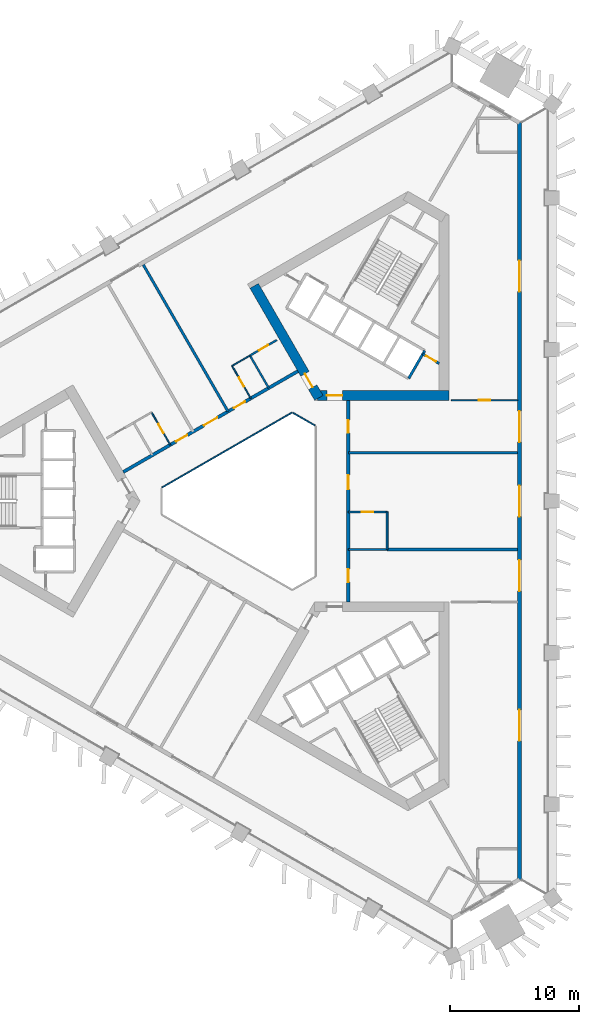
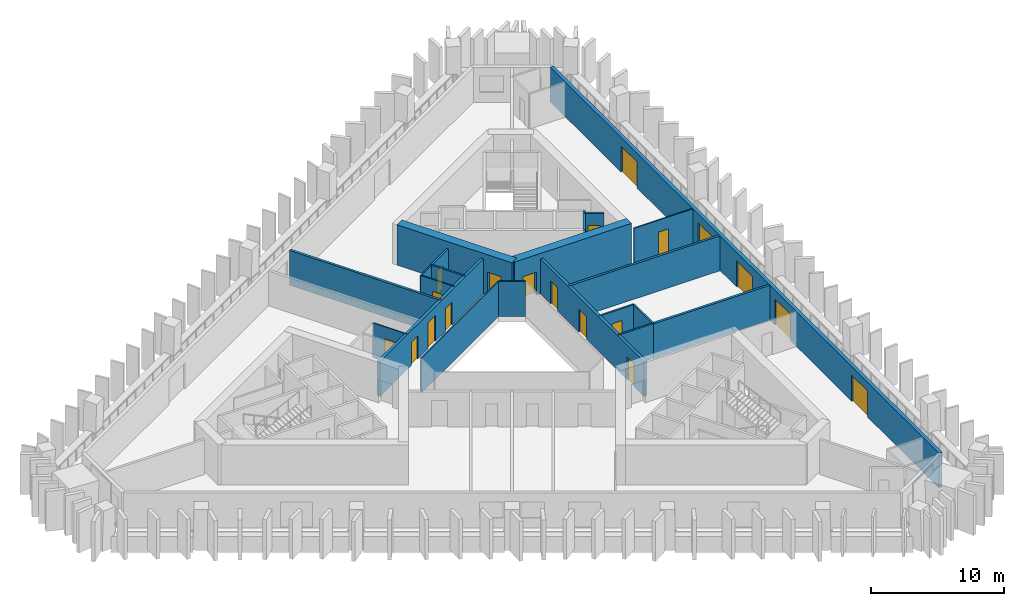
# One storey, part 5 of 10: 21 walls, 19 doors, 19 openings.
"""IFC4 building model written with IfcOpenShell, lengths in metres."""

from ifc_helpers import new_model, si_unit, direction, frame, frame_2d, origin, place, context, subcontext, project, spatial, rectangle, extrude, material, layer, layer_set, type_object, element, fill, save


model = new_model("IFC4")

# Units and contexts
model_context = context("Model", 3, precision=1e-05, world=origin(), true_north=direction((0.0, 1.0)))
body_context = subcontext(model_context, "Body", "Model", "MODEL_VIEW")
ifc_project = project(units=[si_unit("LENGTHUNIT", "METRE"), si_unit("AREAUNIT", "SQUARE_METRE"), si_unit("VOLUMEUNIT", "CUBIC_METRE"), si_unit("PLANEANGLEUNIT", "RADIAN"), si_unit("MASSUNIT", "GRAM", prefix="KILO")], contexts=[model_context])

# Site, building, storey
site_placement = place(None, origin())
site = spatial("IfcSite", under=ifc_project, at=site_placement, CompositionType="ELEMENT")
building_placement = place(site_placement, origin())
building = spatial("IfcBuilding", under=site, at=building_placement, Name="Jabali Bay Hotel Tower and Convention Centre", CompositionType="ELEMENT")
storey_placement = place(building_placement, frame((0.0, 0.0, 86.89990234375)))
storey = spatial("IfcBuildingStorey", under=building, at=storey_placement, Name="L20", CompositionType="ELEMENT", Elevation=86.89990234375)

# Walls
ifc_material_1 = material(Name="Fire-resistant glazing", Category="glass")
ifc_layer_1 = layer(ifc_material_1, 0.10009765625)
ifc_layer_set_1 = layer_set([ifc_layer_1], Name="Fire-resistant glazing")
wall_type_1 = type_object("IfcWallType", Name="Atrium glazed screen 100", PredefinedType="PARTITIONING", material=ifc_layer_set_1)
wall_1_placement = place(storey_placement, frame((79.530029296875, 85.84619140625, 0.0), z_axis=(0.0, 0.0, 1.0), x_axis=(-0.866041268327, 0.499972520799, 0.0)))
element("IfcWall", 1, at=wall_1_placement, inside=storey, type_object=wall_type_1, Name="Atrium screen 2 L20", PredefinedType="PARTITIONING", context=body_context, shape_type="SweptSolid", body=[
    extrude(rectangle(XDim=2.0, YDim=0.10009765625, at=frame_2d((1.0, 0.0))), origin(), (0.0, 0.0, 1.0), 3.2001953125),
])
wall_2_placement = place(storey_placement, frame((77.738037109375, 86.84619140625, 0.0), z_axis=(0.0, 0.0, 1.0), x_axis=(-0.866026658274, -0.499997827154, 0.0)))
element("IfcWall", 2, at=wall_2_placement, inside=storey, type_object=wall_type_1, Name="Atrium screen 3 L20", PredefinedType="PARTITIONING", context=body_context, shape_type="SweptSolid", body=[
    extrude(rectangle(XDim=11.58837890625, YDim=0.10009765625, at=frame_2d((5.794189453125, 0.0))), origin(), (0.0, 0.0, 1.0), 3.2001953125),
])

# Wall, opening, door
ifc_material_2 = material(Name="Concrete C40", Category="concrete")
ifc_layer_2 = layer(ifc_material_2, 0.199951171875)
ifc_layer_set_2 = layer_set([ifc_layer_2], Name="Concrete C40")
wall_type_2 = type_object("IfcWallType", Name="Core partition wall 200", PredefinedType="PARTITIONING", material=ifc_layer_set_2)
wall_3_placement = place(storey_placement, frame((89.130126953125, 90.640625, 0.0), z_axis=(0.0, 0.0, 1.0), x_axis=(-0.866094119867, 0.499880961361, 0.0)))
wall_3 = element("IfcWall", 3, at=wall_3_placement, inside=storey, type_object=wall_type_2, Name="Core wall 1.11 L20", PredefinedType="PARTITIONING", context=body_context, shape_type="SweptSolid", body=[
    extrude(rectangle(XDim=1.466552734375, YDim=0.199951171875, at=frame_2d((0.7333984375, 0.0))), origin(), (0.0, 0.0, 1.0), 3.2001953125),
])
opening_1_placement = place(wall_3_placement, frame((0.283447265625, 0.0, 0.0)))
opening_1 = element("IfcOpeningElement", 4, at=opening_1_placement, cuts=wall_3, Name="Opening D483", PredefinedType="OPENING", context=body_context, shape_type="SweptSolid", body=[
    extrude(rectangle(XDim=0.89990234375, YDim=2.10009765625, at=frame_2d((0.449951171875, 1.050048828125))), frame((0.0, 0.1103515625, 0.0), z_axis=(0.0, -1.0, 0.0), x_axis=(1.0, 0.0, 0.0)), (0.0, 0.0, 1.0), 0.220947265625),
])
ifc_material_3 = material(Name="Fire-rated steel door", Category="steel")
door_type_1 = type_object("IfcDoorType", Name="Vestibule fire door 900 x 2100", OperationType="NOTDEFINED", PredefinedType="NOTDEFINED", material=ifc_material_3)
door_1_placement = place(opening_1_placement, origin())
door_1 = element("IfcDoor", 5, at=door_1_placement, inside=storey, type_object=door_type_1, Name="Vestibule fire door D483", OperationType="SINGLE_SWING_LEFT", OverallHeight=2.10009765625, OverallWidth=0.89990234375, PredefinedType="NOTDEFINED", context=body_context, shape_type="SweptSolid", body=[
    extrude(rectangle(XDim=0.89990234375, YDim=2.10009765625, at=frame_2d((0.449951171875, 1.050048828125))), frame((0.0, 0.02490234375, 0.0), z_axis=(0.0, -1.0, 0.0), x_axis=(1.0, 0.0, 0.0)), (0.0, 0.0, 1.0), 0.050048828125),
])
fill(opening_1, door_1)

# Wall
ifc_layer_3 = layer(ifc_material_2, 0.199951171875)
ifc_layer_set_3 = layer_set([ifc_layer_3], Name="Concrete C40")
wall_type_3 = type_object("IfcWallType", Name="Core stair wall 200", PredefinedType="SOLIDWALL", material=ifc_layer_set_3)
wall_4_placement = place(storey_placement, frame((86.769775390625, 89.48583984375, 0.0), z_axis=(0.0, 0.0, 1.0), x_axis=(0.499961042966, 0.86604789447, 0.0)))
element("IfcWall", 6, at=wall_4_placement, inside=storey, type_object=wall_type_3, Name="Core wall 1.0 L20", PredefinedType="SOLIDWALL", context=body_context, shape_type="SweptSolid", body=[
    extrude(rectangle(XDim=2.480224609375, YDim=0.199951171875, at=frame_2d((1.240234375, 0.0))), origin(), (0.0, 0.0, 1.0), 3.2001953125),
])

# Wall, opening, door
ifc_material_4 = material(Name="Concrete C60", Category="concrete")
ifc_layer_4 = layer(ifc_material_4, 0.75)
ifc_layer_set_4 = layer_set([ifc_layer_4], Name="Concrete C60")
wall_type_4 = type_object("IfcWallType", Name="Core wall 750", PredefinedType="SHEAR", material=ifc_layer_set_4)
wall_5_placement = place(storey_placement, frame((79.716552734375, 88.169189453125, 0.0), z_axis=(0.0, 0.0, 1.0), x_axis=(1.0, 0.0, 0.0)))
wall_5 = element("IfcWall", 7, at=wall_5_placement, inside=storey, type_object=wall_type_4, Name="Core wall 2.1 L20", PredefinedType="SHEAR", context=body_context, shape_type="SweptSolid", body=[
    extrude(rectangle(XDim=10.163330078125, YDim=0.75, at=frame_2d((5.08154296875, 0.0))), origin(), (0.0, 0.0, 1.0), 3.7001953125),
])
opening_2_placement = place(wall_5_placement, frame((0.7333984375, 0.0, 0.0)))
opening_2 = element("IfcOpeningElement", 8, at=opening_2_placement, cuts=wall_5, Name="Opening D480", PredefinedType="OPENING", context=body_context, shape_type="SweptSolid", body=[
    extrude(rectangle(XDim=1.199951171875, YDim=2.10009765625, at=frame_2d((0.60009765625, 1.050048828125))), frame((0.0, 0.385498046875, 0.0), z_axis=(0.0, -1.0, 0.0), x_axis=(1.0, 0.0, 0.0)), (0.0, 0.0, 1.0), 0.77099609375),
])
door_type_2 = type_object("IfcDoorType", Name="Corridor end fire door 1200 x 2100", OperationType="NOTDEFINED", PredefinedType="NOTDEFINED", material=ifc_material_3)
door_2_placement = place(opening_2_placement, origin())
door_2 = element("IfcDoor", 9, at=door_2_placement, inside=storey, type_object=door_type_2, Name="Corridor end fire door D480", OperationType="SINGLE_SWING_RIGHT", OverallHeight=2.10009765625, OverallWidth=1.199951171875, PredefinedType="NOTDEFINED", context=body_context, shape_type="SweptSolid", body=[
    extrude(rectangle(XDim=1.199951171875, YDim=2.10009765625, at=frame_2d((0.60009765625, 1.050048828125))), frame((0.0, 0.02490234375, 0.0), z_axis=(0.0, -1.0, 0.0), x_axis=(1.0, 0.0, 0.0)), (0.0, 0.0, 1.0), 0.050048828125),
])
fill(opening_2, door_2)

wall_6_placement = place(storey_placement, frame((74.822265625, 96.646240234375, 0.0), z_axis=(0.0, 0.0, 1.0), x_axis=(0.499997052475, -0.866027105532, 0.0)))
wall_6 = element("IfcWall", 10, at=wall_6_placement, inside=storey, type_object=wall_type_4, Name="Core wall 2.5 L20", PredefinedType="SHEAR", context=body_context, shape_type="SweptSolid", body=[
    extrude(rectangle(XDim=10.0048828125, YDim=0.75, at=frame_2d((5.00244140625, 0.0))), origin(), (0.0, 0.0, 1.0), 3.7001953125),
])
opening_3_placement = place(wall_6_placement, frame((7.85498046875, 0.0, 0.0)))
opening_3 = element("IfcOpeningElement", 11, at=opening_3_placement, cuts=wall_6, Name="Opening D481", PredefinedType="OPENING", context=body_context, shape_type="SweptSolid", body=[
    extrude(rectangle(XDim=1.199951171875, YDim=2.10009765625, at=frame_2d((0.60009765625, 1.050048828125))), frame((0.0, 0.385498046875, 0.0), z_axis=(0.0, -1.0, 0.0), x_axis=(1.0, 0.0, 0.0)), (0.0, 0.0, 1.0), 0.77099609375),
])
door_3_placement = place(opening_3_placement, origin())
door_3 = element("IfcDoor", 12, at=door_3_placement, inside=storey, type_object=door_type_2, Name="Corridor end fire door D481", OperationType="SINGLE_SWING_LEFT", OverallHeight=2.10009765625, OverallWidth=1.199951171875, PredefinedType="NOTDEFINED", context=body_context, shape_type="SweptSolid", body=[
    extrude(rectangle(XDim=1.199951171875, YDim=2.10009765625, at=frame_2d((0.60009765625, 1.050048828125))), frame((0.0, 0.02490234375, 0.0), z_axis=(0.0, -1.0, 0.0), x_axis=(1.0, 0.0, 0.0)), (0.0, 0.0, 1.0), 0.050048828125),
])
fill(opening_3, door_3)

# Wall, openings, doors
ifc_layer_5 = layer(ifc_material_4, 0.25)
ifc_layer_set_5 = layer_set([ifc_layer_5], Name="Concrete C60")
wall_type_5 = type_object("IfcWallType", Name="Corridor wall 250", PredefinedType="SHEAR", material=ifc_layer_set_5)
wall_7_placement = place(storey_placement, frame((82.10009765625, 72.205810546875, 0.0), z_axis=(0.0, 0.0, 1.0), x_axis=(0.0, 1.0, 0.0)))
wall_7 = element("IfcWall", 13, at=wall_7_placement, inside=storey, type_object=wall_type_5, Name="Corridor wall 1 L20", PredefinedType="SHEAR", context=body_context, shape_type="SweptSolid", body=[
    extrude(rectangle(XDim=15.58837890625, YDim=0.25, at=frame_2d((7.794189453125, 0.0))), origin(), (0.0, 0.0, 1.0), 3.2001953125),
])
opening_4_placement = place(wall_7_placement, frame((1.526611328125, 0.0, 0.0)))
opening_4 = element("IfcOpeningElement", 14, at=opening_4_placement, cuts=wall_7, Name="Opening 2001", PredefinedType="OPENING", context=body_context, shape_type="SweptSolid", body=[
    extrude(rectangle(XDim=1.0, YDim=2.10009765625, at=frame_2d((0.5, 1.050048828125))), frame((0.0, 0.135498046875, 0.0), z_axis=(0.0, -1.0, 0.0), x_axis=(1.0, 0.0, 0.0)), (0.0, 0.0, 1.0), 0.27099609375),
])
opening_5_placement = place(wall_7_placement, frame((8.694091796875, 0.0, 0.0)))
opening_5 = element("IfcOpeningElement", 15, at=opening_5_placement, cuts=wall_7, Name="Opening 2005", PredefinedType="OPENING", context=body_context, shape_type="SweptSolid", body=[
    extrude(rectangle(XDim=1.10009765625, YDim=2.10009765625, at=frame_2d((0.550048828125, 1.050048828125))), frame((0.0, 0.135498046875, 0.0), z_axis=(0.0, -1.0, 0.0), x_axis=(1.0, 0.0, 0.0)), (0.0, 0.0, 1.0), 0.27099609375),
])
opening_6_placement = place(wall_7_placement, frame((13.06201171875, 0.0, 0.0)))
opening_6 = element("IfcOpeningElement", 16, at=opening_6_placement, cuts=wall_7, Name="Opening 2006", PredefinedType="OPENING", context=body_context, shape_type="SweptSolid", body=[
    extrude(rectangle(XDim=1.0, YDim=2.10009765625, at=frame_2d((0.5, 1.050048828125))), frame((0.0, 0.135498046875, 0.0), z_axis=(0.0, -1.0, 0.0), x_axis=(1.0, 0.0, 0.0)), (0.0, 0.0, 1.0), 0.27099609375),
])
ifc_material_5 = material(Name="Timber", Category="wood")
door_type_3 = type_object("IfcDoorType", Name="Accessible guest room door 1100 x 2100", OperationType="NOTDEFINED", PredefinedType="NOTDEFINED", material=ifc_material_5)
door_4_placement = place(opening_5_placement, origin())
door_4 = element("IfcDoor", 17, at=door_4_placement, inside=storey, type_object=door_type_3, Name="Door 2005", OperationType="SINGLE_SWING_RIGHT", OverallHeight=2.10009765625, OverallWidth=1.10009765625, PredefinedType="NOTDEFINED", context=body_context, shape_type="SweptSolid", body=[
    extrude(rectangle(XDim=1.10009765625, YDim=2.10009765625, at=frame_2d((0.550048828125, 1.050048828125))), frame((0.0, 0.02490234375, 0.0), z_axis=(0.0, -1.0, 0.0), x_axis=(1.0, 0.0, 0.0)), (0.0, 0.0, 1.0), 0.050048828125),
])
fill(opening_5, door_4)
door_type_4 = type_object("IfcDoorType", Name="Guest room door 1000 x 2100", OperationType="NOTDEFINED", PredefinedType="NOTDEFINED", material=ifc_material_5)
door_5_placement = place(opening_4_placement, origin())
door_5 = element("IfcDoor", 18, at=door_5_placement, inside=storey, type_object=door_type_4, Name="Door 2001", OperationType="SINGLE_SWING_LEFT", OverallHeight=2.10009765625, OverallWidth=1.0, PredefinedType="NOTDEFINED", context=body_context, shape_type="SweptSolid", body=[
    extrude(rectangle(XDim=1.0, YDim=2.10009765625, at=frame_2d((0.5, 1.050048828125))), frame((0.0, 0.02490234375, 0.0), z_axis=(0.0, -1.0, 0.0), x_axis=(1.0, 0.0, 0.0)), (0.0, 0.0, 1.0), 0.050048828125),
])
fill(opening_4, door_5)
door_6_placement = place(opening_6_placement, origin())
door_6 = element("IfcDoor", 19, at=door_6_placement, inside=storey, type_object=door_type_4, Name="Door 2006", OperationType="SINGLE_SWING_RIGHT", OverallHeight=2.10009765625, OverallWidth=1.0, PredefinedType="NOTDEFINED", context=body_context, shape_type="SweptSolid", body=[
    extrude(rectangle(XDim=1.0, YDim=2.10009765625, at=frame_2d((0.5, 1.050048828125))), frame((0.0, 0.02490234375, 0.0), z_axis=(0.0, -1.0, 0.0), x_axis=(1.0, 0.0, 0.0)), (0.0, 0.0, 1.0), 0.050048828125),
])
fill(opening_6, door_6)

wall_8_placement = place(storey_placement, frame((78.199951171875, 90.0458984375, 0.0), z_axis=(0.0, 0.0, 1.0), x_axis=(-0.866026492143, -0.499998114903, 0.0)))
wall_8 = element("IfcWall", 20, at=wall_8_placement, inside=storey, type_object=wall_type_5, Name="Corridor wall 2 L20", PredefinedType="SHEAR", context=body_context, shape_type="SweptSolid", body=[
    extrude(rectangle(XDim=15.58837890625, YDim=0.25, at=frame_2d((7.794189453125, 0.0))), origin(), (0.0, 0.0, 1.0), 3.2001953125),
])
opening_7_placement = place(wall_8_placement, frame((4.7177734375, 0.0, 0.0)))
opening_7 = element("IfcOpeningElement", 21, at=opening_7_placement, cuts=wall_8, Name="Opening 2011", PredefinedType="OPENING", context=body_context, shape_type="SweptSolid", body=[
    extrude(rectangle(XDim=1.0, YDim=2.10009765625, at=frame_2d((0.5, 1.050048828125))), frame((0.0, 0.135498046875, 0.0), z_axis=(0.0, -1.0, 0.0), x_axis=(1.0, 0.0, 0.0)), (0.0, 0.0, 1.0), 0.27099609375),
])
opening_8_placement = place(wall_8_placement, frame((7.194091796875, 0.0, 0.0)))
opening_8 = element("IfcOpeningElement", 22, at=opening_8_placement, cuts=wall_8, Name="Opening 2012", PredefinedType="OPENING", context=body_context, shape_type="SweptSolid", body=[
    extrude(rectangle(XDim=1.199951171875, YDim=2.39990234375, at=frame_2d((0.60009765625, 1.199951171875))), frame((0.0, 0.135498046875, 0.0), z_axis=(0.0, -1.0, 0.0), x_axis=(1.0, 0.0, 0.0)), (0.0, 0.0, 1.0), 0.27099609375),
])
opening_9_placement = place(wall_8_placement, frame((9.870849609375, 0.0, 0.0)))
opening_9 = element("IfcOpeningElement", 23, at=opening_9_placement, cuts=wall_8, Name="Opening 2015", PredefinedType="OPENING", context=body_context, shape_type="SweptSolid", body=[
    extrude(rectangle(XDim=1.0, YDim=2.10009765625, at=frame_2d((0.5, 1.050048828125))), frame((0.0, 0.135498046875, 0.0), z_axis=(0.0, -1.0, 0.0), x_axis=(1.0, 0.0, 0.0)), (0.0, 0.0, 1.0), 0.27099609375),
])
door_7_placement = place(opening_7_placement, origin())
door_7 = element("IfcDoor", 24, at=door_7_placement, inside=storey, type_object=door_type_4, Name="Door 2011", OperationType="SINGLE_SWING_LEFT", OverallHeight=2.10009765625, OverallWidth=1.0, PredefinedType="NOTDEFINED", context=body_context, shape_type="SweptSolid", body=[
    extrude(rectangle(XDim=1.0, YDim=2.10009765625, at=frame_2d((0.5, 1.050048828125))), frame((0.0, 0.02490234375, 0.0), z_axis=(0.0, -1.0, 0.0), x_axis=(1.0, 0.0, 0.0)), (0.0, 0.0, 1.0), 0.050048828125),
])
fill(opening_7, door_7)
door_8_placement = place(opening_9_placement, origin())
door_8 = element("IfcDoor", 25, at=door_8_placement, inside=storey, type_object=door_type_4, Name="Door 2015", OperationType="SINGLE_SWING_RIGHT", OverallHeight=2.10009765625, OverallWidth=1.0, PredefinedType="NOTDEFINED", context=body_context, shape_type="SweptSolid", body=[
    extrude(rectangle(XDim=1.0, YDim=2.10009765625, at=frame_2d((0.5, 1.050048828125))), frame((0.0, 0.02490234375, 0.0), z_axis=(0.0, -1.0, 0.0), x_axis=(1.0, 0.0, 0.0)), (0.0, 0.0, 1.0), 0.050048828125),
])
fill(opening_9, door_8)
door_type_5 = type_object("IfcDoorType", Name="Public room door 1200 x 2400", OperationType="NOTDEFINED", PredefinedType="NOTDEFINED", material=ifc_material_5)
door_9_placement = place(opening_8_placement, origin())
door_9 = element("IfcDoor", 26, at=door_9_placement, inside=storey, type_object=door_type_5, Name="Door 2012", OperationType="SINGLE_SWING_RIGHT", OverallHeight=2.39990234375, OverallWidth=1.199951171875, PredefinedType="NOTDEFINED", context=body_context, shape_type="SweptSolid", body=[
    extrude(rectangle(XDim=1.199951171875, YDim=2.39990234375, at=frame_2d((0.60009765625, 1.199951171875))), frame((0.0, 0.02490234375, 0.0), z_axis=(0.0, -1.0, 0.0), x_axis=(1.0, 0.0, 0.0)), (0.0, 0.0, 1.0), 0.050048828125),
])
fill(opening_8, door_9)

ifc_layer_6 = layer(ifc_material_2, 0.300048828125)
ifc_layer_set_6 = layer_set([ifc_layer_6], Name="Concrete C40")
wall_type_6 = type_object("IfcWallType", Name="External wall 300", PredefinedType="SOLIDWALL", material=ifc_layer_set_6)
wall_9_placement = place(storey_placement, frame((95.351318359375, 109.260986328125, 0.0), z_axis=(0.0, 0.0, 1.0), x_axis=(0.0, -1.0, 0.0)))
wall_9 = element("IfcWall", 27, at=wall_9_placement, inside=storey, type_object=wall_type_6, Name="External wall east face L20", PredefinedType="SOLIDWALL", context=body_context, shape_type="SweptSolid", body=[
    extrude(rectangle(XDim=58.52197265625, YDim=0.300048828125, at=frame_2d((29.260986328125, 0.0))), origin(), (0.0, 0.0, 1.0), 3.2001953125),
])
opening_10_placement = place(wall_9_placement, frame((28.06103515625, 0.0, 0.0)))
opening_10 = element("IfcOpeningElement", 28, at=opening_10_placement, cuts=wall_9, Name="Opening SD1", PredefinedType="OPENING", context=body_context, shape_type="SweptSolid", body=[
    extrude(rectangle(XDim=2.39990234375, YDim=2.39990234375, at=frame_2d((1.199951171875, 1.199951171875))), frame((0.0, 0.16064453125, 0.0), z_axis=(0.0, -1.0, 0.0), x_axis=(1.0, 0.0, 0.0)), (0.0, 0.0, 1.0), 0.321044921875),
])
opening_11_placement = place(wall_9_placement, frame((33.828857421875, 0.0, 0.0)))
opening_11 = element("IfcOpeningElement", 29, at=opening_11_placement, cuts=wall_9, Name="Opening SD1", PredefinedType="OPENING", context=body_context, shape_type="SweptSolid", body=[
    extrude(rectangle(XDim=2.39990234375, YDim=2.39990234375, at=frame_2d((1.199951171875, 1.199951171875))), frame((0.0, 0.16064453125, 0.0), z_axis=(0.0, -1.0, 0.0), x_axis=(1.0, 0.0, 0.0)), (0.0, 0.0, 1.0), 0.321044921875),
])
opening_12_placement = place(wall_9_placement, frame((45.4111328125, 0.0, 0.0)))
opening_12 = element("IfcOpeningElement", 30, at=opening_12_placement, cuts=wall_9, Name="Opening SD1", PredefinedType="OPENING", context=body_context, shape_type="SweptSolid", body=[
    extrude(rectangle(XDim=2.39990234375, YDim=2.39990234375, at=frame_2d((1.199951171875, 1.199951171875))), frame((0.0, 0.16064453125, 0.0), z_axis=(0.0, -1.0, 0.0), x_axis=(1.0, 0.0, 0.0)), (0.0, 0.0, 1.0), 0.321044921875),
])
opening_13_placement = place(wall_9_placement, frame((22.29345703125, 0.0, 0.0)))
opening_13 = element("IfcOpeningElement", 31, at=opening_13_placement, cuts=wall_9, Name="Opening SD1", PredefinedType="OPENING", context=body_context, shape_type="SweptSolid", body=[
    extrude(rectangle(XDim=2.39990234375, YDim=2.39990234375, at=frame_2d((1.199951171875, 1.199951171875))), frame((0.0, 0.16064453125, 0.0), z_axis=(0.0, -1.0, 0.0), x_axis=(1.0, 0.0, 0.0)), (0.0, 0.0, 1.0), 0.321044921875),
])
opening_14_placement = place(wall_9_placement, frame((10.657958984375, 0.0, 0.0)))
opening_14 = element("IfcOpeningElement", 32, at=opening_14_placement, cuts=wall_9, Name="Opening SD1", PredefinedType="OPENING", context=body_context, shape_type="SweptSolid", body=[
    extrude(rectangle(XDim=2.39990234375, YDim=2.39990234375, at=frame_2d((1.199951171875, 1.199951171875))), frame((0.0, 0.16064453125, 0.0), z_axis=(0.0, -1.0, 0.0), x_axis=(1.0, 0.0, 0.0)), (0.0, 0.0, 1.0), 0.321044921875),
])
ifc_material_6 = material(Name="Glass", Category="glass")
door_type_6 = type_object("IfcDoorType", Name="Loggia sliding door 2400 x 2400", OperationType="NOTDEFINED", PredefinedType="NOTDEFINED", material=ifc_material_6)
door_10_placement = place(opening_10_placement, origin())
door_10 = element("IfcDoor", 33, at=door_10_placement, inside=storey, type_object=door_type_6, Name="Loggia sliding door 2002", OperationType="SLIDING_TO_LEFT", OverallHeight=2.39990234375, OverallWidth=2.39990234375, PredefinedType="NOTDEFINED", context=body_context, shape_type="SweptSolid", body=[
    extrude(rectangle(XDim=2.39990234375, YDim=2.39990234375, at=frame_2d((1.199951171875, 1.199951171875))), frame((0.0, 0.02490234375, 0.0), z_axis=(0.0, -1.0, 0.0), x_axis=(1.0, 0.0, 0.0)), (0.0, 0.0, 1.0), 0.050048828125),
])
fill(opening_10, door_10)
door_11_placement = place(opening_11_placement, origin())
door_11 = element("IfcDoor", 34, at=door_11_placement, inside=storey, type_object=door_type_6, Name="Loggia sliding door 2001", OperationType="SLIDING_TO_RIGHT", OverallHeight=2.39990234375, OverallWidth=2.39990234375, PredefinedType="NOTDEFINED", context=body_context, shape_type="SweptSolid", body=[
    extrude(rectangle(XDim=2.39990234375, YDim=2.39990234375, at=frame_2d((1.199951171875, 1.199951171875))), frame((0.0, 0.02490234375, 0.0), z_axis=(0.0, -1.0, 0.0), x_axis=(1.0, 0.0, 0.0)), (0.0, 0.0, 1.0), 0.050048828125),
])
fill(opening_11, door_11)
door_12_placement = place(opening_12_placement, origin())
door_12 = element("IfcDoor", 35, at=door_12_placement, inside=storey, type_object=door_type_6, Name="Loggia sliding door 2001", OperationType="SLIDING_TO_LEFT", OverallHeight=2.39990234375, OverallWidth=2.39990234375, PredefinedType="NOTDEFINED", context=body_context, shape_type="SweptSolid", body=[
    extrude(rectangle(XDim=2.39990234375, YDim=2.39990234375, at=frame_2d((1.199951171875, 1.199951171875))), frame((0.0, 0.02490234375, 0.0), z_axis=(0.0, -1.0, 0.0), x_axis=(1.0, 0.0, 0.0)), (0.0, 0.0, 1.0), 0.050048828125),
])
fill(opening_12, door_12)
door_13_placement = place(opening_13_placement, origin())
door_13 = element("IfcDoor", 36, at=door_13_placement, inside=storey, type_object=door_type_6, Name="Loggia sliding door 2003", OperationType="SLIDING_TO_RIGHT", OverallHeight=2.39990234375, OverallWidth=2.39990234375, PredefinedType="NOTDEFINED", context=body_context, shape_type="SweptSolid", body=[
    extrude(rectangle(XDim=2.39990234375, YDim=2.39990234375, at=frame_2d((1.199951171875, 1.199951171875))), frame((0.0, 0.02490234375, 0.0), z_axis=(0.0, -1.0, 0.0), x_axis=(1.0, 0.0, 0.0)), (0.0, 0.0, 1.0), 0.050048828125),
])
fill(opening_13, door_13)
door_14_placement = place(opening_14_placement, origin())
door_14 = element("IfcDoor", 37, at=door_14_placement, inside=storey, type_object=door_type_6, Name="Loggia sliding door 2003", OperationType="SLIDING_TO_LEFT", OverallHeight=2.39990234375, OverallWidth=2.39990234375, PredefinedType="NOTDEFINED", context=body_context, shape_type="SweptSolid", body=[
    extrude(rectangle(XDim=2.39990234375, YDim=2.39990234375, at=frame_2d((1.199951171875, 1.199951171875))), frame((0.0, 0.02490234375, 0.0), z_axis=(0.0, -1.0, 0.0), x_axis=(1.0, 0.0, 0.0)), (0.0, 0.0, 1.0), 0.050048828125),
])
fill(opening_14, door_14)

# Wall, opening, door
ifc_material_7 = material(Name="Plasterboard on steel stud", Category="steel")
ifc_layer_7 = layer(ifc_material_7, 0.10009765625)
ifc_layer_set_7 = layer_set([ifc_layer_7], Name="Plasterboard on steel stud")
wall_type_7 = type_object("IfcWallType", Name="Partition 100 unit", PredefinedType="PARTITIONING", material=ifc_layer_set_7)
wall_10_placement = place(storey_placement, frame((95.2021484375, 87.794189453125, 0.0), z_axis=(0.0, 0.0, 1.0), x_axis=(-1.0, 0.0, 0.0)))
wall_10 = element("IfcWall", 38, at=wall_10_placement, inside=storey, type_object=wall_type_7, Name="Partition P02 L20 011", PredefinedType="PARTITIONING", context=body_context, shape_type="SweptSolid", body=[
    extrude(rectangle(XDim=5.123046875, YDim=0.10009765625, at=frame_2d((2.5615234375, 0.0))), origin(), (0.0, 0.0, 1.0), 3.2001953125),
])
opening_15_placement = place(wall_10_placement, frame((2.112060546875, 0.0, 0.0)))
opening_15 = element("IfcOpeningElement", 39, at=opening_15_placement, cuts=wall_10, Name="Opening 2007", PredefinedType="OPENING", context=body_context, shape_type="SweptSolid", body=[
    extrude(rectangle(XDim=0.89990234375, YDim=2.10009765625, at=frame_2d((0.449951171875, 1.050048828125))), frame((0.0, 0.060546875, 0.0), z_axis=(0.0, -1.0, 0.0), x_axis=(1.0, 0.0, 0.0)), (0.0, 0.0, 1.0), 0.12109375),
])
door_type_7 = type_object("IfcDoorType", Name="Internal door 900 x 2100", OperationType="NOTDEFINED", PredefinedType="NOTDEFINED", material=ifc_material_5)
door_15_placement = place(opening_15_placement, origin())
door_15 = element("IfcDoor", 40, at=door_15_placement, inside=storey, type_object=door_type_7, Name="Door 2007", OperationType="SINGLE_SWING_RIGHT", OverallHeight=2.10009765625, OverallWidth=0.89990234375, PredefinedType="NOTDEFINED", context=body_context, shape_type="SweptSolid", body=[
    extrude(rectangle(XDim=0.89990234375, YDim=2.10009765625, at=frame_2d((0.449951171875, 1.050048828125))), frame((0.0, 0.02490234375, 0.0), z_axis=(0.0, -1.0, 0.0), x_axis=(1.0, 0.0, 0.0)), (0.0, 0.0, 1.0), 0.050048828125),
])
fill(opening_15, door_15)

wall_11_placement = place(storey_placement, frame((74.562744140625, 87.94580078125, 0.0), z_axis=(0.0, 0.0, 1.0), x_axis=(-0.499987231761, 0.866032775405, 0.0)))
wall_11 = element("IfcWall", 41, at=wall_11_placement, inside=storey, type_object=wall_type_7, Name="Partition P02 L20 017", PredefinedType="PARTITIONING", context=body_context, shape_type="SweptSolid", body=[
    extrude(rectangle(XDim=2.89990234375, YDim=0.10009765625, at=frame_2d((1.449951171875, 0.0))), origin(), (0.0, 0.0, 1.0), 3.2001953125),
])
opening_16_placement = place(wall_11_placement, frame((1.050048828125, 0.0, 0.0)))
opening_16 = element("IfcOpeningElement", 42, at=opening_16_placement, cuts=wall_11, Name="Opening 2010", PredefinedType="OPENING", context=body_context, shape_type="SweptSolid", body=[
    extrude(rectangle(XDim=0.800048828125, YDim=2.10009765625, at=frame_2d((0.39990234375, 1.050048828125))), frame((0.0, 0.060546875, 0.0), z_axis=(0.0, -1.0, 0.0), x_axis=(1.0, 0.0, 0.0)), (0.0, 0.0, 1.0), 0.12109375),
])
door_type_8 = type_object("IfcDoorType", Name="Dressing room door 800 x 2100", OperationType="NOTDEFINED", PredefinedType="NOTDEFINED", material=ifc_material_5)
door_16_placement = place(opening_16_placement, origin())
door_16 = element("IfcDoor", 43, at=door_16_placement, inside=storey, type_object=door_type_8, Name="Door 2010", OperationType="SINGLE_SWING_RIGHT", OverallHeight=2.10009765625, OverallWidth=0.800048828125, PredefinedType="NOTDEFINED", context=body_context, shape_type="SweptSolid", body=[
    extrude(rectangle(XDim=0.800048828125, YDim=2.10009765625, at=frame_2d((0.39990234375, 1.050048828125))), frame((0.0, 0.02490234375, 0.0), z_axis=(0.0, -1.0, 0.0), x_axis=(1.0, 0.0, 0.0)), (0.0, 0.0, 1.0), 0.050048828125),
])
fill(opening_16, door_16)

# Wall
wall_12_placement = place(storey_placement, frame((73.11279296875, 90.457275390625, 0.0), z_axis=(0.0, 0.0, 1.0), x_axis=(0.865989903783, 0.500061482766, 0.0)))
element("IfcWall", 44, at=wall_12_placement, inside=storey, type_object=wall_type_7, Name="Partition P02 L20 018", PredefinedType="PARTITIONING", context=body_context, shape_type="SweptSolid", body=[
    extrude(rectangle(XDim=1.599853515625, YDim=0.10009765625, at=frame_2d((0.7998046875, 0.0))), origin(), (0.0, 0.0, 1.0), 3.2001953125),
])

# Wall, opening, door
wall_13_placement = place(storey_placement, frame((66.88720703125, 86.863037109375, 0.0), z_axis=(0.0, 0.0, 1.0), x_axis=(0.50005036918, -0.865996321171, 0.0)))
wall_13 = element("IfcWall", 45, at=wall_13_placement, inside=storey, type_object=wall_type_7, Name="Partition P02 L20 024", PredefinedType="PARTITIONING", context=body_context, shape_type="SweptSolid", body=[
    extrude(rectangle(XDim=2.900146484375, YDim=0.10009765625, at=frame_2d((1.4501953125, 0.0))), origin(), (0.0, 0.0, 1.0), 3.2001953125),
])
opening_17_placement = place(wall_13_placement, frame((1.050048828125, 0.0, 0.0)))
opening_17 = element("IfcOpeningElement", 46, at=opening_17_placement, cuts=wall_13, Name="Opening 2014", PredefinedType="OPENING", context=body_context, shape_type="SweptSolid", body=[
    extrude(rectangle(XDim=0.800048828125, YDim=2.10009765625, at=frame_2d((0.39990234375, 1.050048828125))), frame((0.0, 0.060546875, 0.0), z_axis=(0.0, -1.0, 0.0), x_axis=(1.0, 0.0, 0.0)), (0.0, 0.0, 1.0), 0.12109375),
])
door_17_placement = place(opening_17_placement, origin())
door_17 = element("IfcDoor", 47, at=door_17_placement, inside=storey, type_object=door_type_8, Name="Door 2014", OperationType="SINGLE_SWING_RIGHT", OverallHeight=2.10009765625, OverallWidth=0.800048828125, PredefinedType="NOTDEFINED", context=body_context, shape_type="SweptSolid", body=[
    extrude(rectangle(XDim=0.800048828125, YDim=2.10009765625, at=frame_2d((0.39990234375, 1.050048828125))), frame((0.0, 0.02490234375, 0.0), z_axis=(0.0, -1.0, 0.0), x_axis=(1.0, 0.0, 0.0)), (0.0, 0.0, 1.0), 0.050048828125),
])
fill(opening_17, door_17)

# Wall
ifc_layer_8 = layer(ifc_material_7, 0.14990234375)
ifc_layer_set_8 = layer_set([ifc_layer_8], Name="Plasterboard on steel stud")
wall_type_8 = type_object("IfcWallType", Name="Partition 150 wet", PredefinedType="PARTITIONING", material=ifc_layer_set_8)
wall_14_placement = place(storey_placement, frame((85.10009765625, 76.2587890625, 0.0), z_axis=(0.0, 0.0, 1.0), x_axis=(-1.0, 0.0, 0.0)))
element("IfcWall", 48, at=wall_14_placement, inside=storey, type_object=wall_type_8, Name="Partition P03 L20 003", PredefinedType="PARTITIONING", context=body_context, shape_type="SweptSolid", body=[
    extrude(rectangle(XDim=3.0, YDim=0.14990234375, at=frame_2d((1.5, 0.0))), origin(), (0.0, 0.0, 1.0), 3.2001953125),
])

# Wall, opening, door
wall_15_placement = place(storey_placement, frame((82.10009765625, 79.15869140625, 0.0), z_axis=(0.0, 0.0, 1.0), x_axis=(1.0, 0.0, 0.0)))
wall_15 = element("IfcWall", 49, at=wall_15_placement, inside=storey, type_object=wall_type_8, Name="Partition P03 L20 008", PredefinedType="PARTITIONING", context=body_context, shape_type="SweptSolid", body=[
    extrude(rectangle(XDim=3.0, YDim=0.14990234375, at=frame_2d((1.5, 0.0))), origin(), (0.0, 0.0, 1.0), 3.2001953125),
])
opening_18_placement = place(wall_15_placement, frame((1.050048828125, 0.0, 0.0)))
opening_18 = element("IfcOpeningElement", 50, at=opening_18_placement, cuts=wall_15, Name="Opening 2004", PredefinedType="OPENING", context=body_context, shape_type="SweptSolid", body=[
    extrude(rectangle(XDim=0.89990234375, YDim=2.10009765625, at=frame_2d((0.449951171875, 1.050048828125))), frame((0.0, 0.08544921875, 0.0), z_axis=(0.0, -1.0, 0.0), x_axis=(1.0, 0.0, 0.0)), (0.0, 0.0, 1.0), 0.1708984375),
])
door_type_9 = type_object("IfcDoorType", Name="Accessible en-suite door 900 x 2100", OperationType="NOTDEFINED", PredefinedType="NOTDEFINED", material=ifc_material_5)
door_18_placement = place(opening_18_placement, origin())
door_18 = element("IfcDoor", 51, at=door_18_placement, inside=storey, type_object=door_type_9, Name="Door 2004", OperationType="SINGLE_SWING_LEFT", OverallHeight=2.10009765625, OverallWidth=0.89990234375, PredefinedType="NOTDEFINED", context=body_context, shape_type="SweptSolid", body=[
    extrude(rectangle(XDim=0.89990234375, YDim=2.10009765625, at=frame_2d((0.449951171875, 1.050048828125))), frame((0.0, 0.02490234375, 0.0), z_axis=(0.0, -1.0, 0.0), x_axis=(1.0, 0.0, 0.0)), (0.0, 0.0, 1.0), 0.050048828125),
])
fill(opening_18, door_18)

# Wall
wall_16_placement = place(storey_placement, frame((85.10009765625, 79.15869140625, 0.0), z_axis=(0.0, 0.0, 1.0), x_axis=(0.0, -1.0, 0.0)))
element("IfcWall", 52, at=wall_16_placement, inside=storey, type_object=wall_type_8, Name="Partition P03 L20 009", PredefinedType="PARTITIONING", context=body_context, shape_type="SweptSolid", body=[
    extrude(rectangle(XDim=2.89990234375, YDim=0.14990234375, at=frame_2d((1.449951171875, 0.0))), origin(), (0.0, 0.0, 1.0), 3.2001953125),
])

# Wall, opening, door
wall_17_placement = place(storey_placement, frame((74.498291015625, 91.25732421875, 0.0), z_axis=(0.0, 0.0, 1.0), x_axis=(0.866038271014, 0.499977712642, 0.0)))
wall_17 = element("IfcWall", 53, at=wall_17_placement, inside=storey, type_object=wall_type_8, Name="Partition P03 L20 016", PredefinedType="PARTITIONING", context=body_context, shape_type="SweptSolid", body=[
    extrude(rectangle(XDim=2.40087890625, YDim=0.14990234375, at=frame_2d((1.200439453125, 0.0))), origin(), (0.0, 0.0, 1.0), 3.2001953125),
])
opening_19_placement = place(wall_17_placement, frame((0.801025390625, 0.0, 0.0)))
opening_19 = element("IfcOpeningElement", 54, at=opening_19_placement, cuts=wall_17, Name="Opening 2009", PredefinedType="OPENING", context=body_context, shape_type="SweptSolid", body=[
    extrude(rectangle(XDim=0.800048828125, YDim=2.10009765625, at=frame_2d((0.39990234375, 1.050048828125))), frame((0.0, 0.08544921875, 0.0), z_axis=(0.0, -1.0, 0.0), x_axis=(1.0, 0.0, 0.0)), (0.0, 0.0, 1.0), 0.1708984375),
])
door_type_10 = type_object("IfcDoorType", Name="En-suite door 800 x 2100", OperationType="NOTDEFINED", PredefinedType="NOTDEFINED", material=ifc_material_5)
door_19_placement = place(opening_19_placement, origin())
door_19 = element("IfcDoor", 55, at=door_19_placement, inside=storey, type_object=door_type_10, Name="Door 2009", OperationType="SINGLE_SWING_LEFT", OverallHeight=2.10009765625, OverallWidth=0.800048828125, PredefinedType="NOTDEFINED", context=body_context, shape_type="SweptSolid", body=[
    extrude(rectangle(XDim=0.800048828125, YDim=2.10009765625, at=frame_2d((0.39990234375, 1.050048828125))), frame((0.0, 0.02490234375, 0.0), z_axis=(0.0, -1.0, 0.0), x_axis=(1.0, 0.0, 0.0)), (0.0, 0.0, 1.0), 0.050048828125),
])
fill(opening_19, door_19)

# Walls
wall_18_placement = place(storey_placement, frame((74.498291015625, 91.25732421875, 0.0), z_axis=(0.0, 0.0, 1.0), x_axis=(0.499987231761, -0.866032775405, 0.0)))
element("IfcWall", 56, at=wall_18_placement, inside=storey, type_object=wall_type_8, Name="Partition P03 L20 020", PredefinedType="PARTITIONING", context=body_context, shape_type="SweptSolid", body=[
    extrude(rectangle(XDim=2.89990234375, YDim=0.14990234375, at=frame_2d((1.449951171875, 0.0))), origin(), (0.0, 0.0, 1.0), 3.2001953125),
])
ifc_layer_9 = layer(ifc_material_7, 0.199951171875)
ifc_layer_set_9 = layer_set([ifc_layer_9], Name="Plasterboard on steel stud")
wall_type_9 = type_object("IfcWallType", Name="Partition 200 party", PredefinedType="PARTITIONING", material=ifc_layer_set_9)
wall_19_placement = place(storey_placement, frame((95.2021484375, 76.2587890625, 0.0), z_axis=(0.0, 0.0, 1.0), x_axis=(-1.0, 0.0, 0.0)))
element("IfcWall", 57, at=wall_19_placement, inside=storey, type_object=wall_type_9, Name="Partition P01 L20 002", PredefinedType="PARTITIONING", context=body_context, shape_type="SweptSolid", body=[
    extrude(rectangle(XDim=10.10205078125, YDim=0.199951171875, at=frame_2d((5.051025390625, 0.0))), origin(), (0.0, 0.0, 1.0), 3.2001953125),
])
wall_20_placement = place(storey_placement, frame((95.2021484375, 83.7412109375, 0.0), z_axis=(0.0, 0.0, 1.0), x_axis=(-1.0, 0.0, 0.0)))
element("IfcWall", 58, at=wall_20_placement, inside=storey, type_object=wall_type_9, Name="Partition P01 L20 010", PredefinedType="PARTITIONING", context=body_context, shape_type="SweptSolid", body=[
    extrude(rectangle(XDim=13.10205078125, YDim=0.199951171875, at=frame_2d((6.551025390625, 0.0))), origin(), (0.0, 0.0, 1.0), 3.2001953125),
])
wall_21_placement = place(storey_placement, frame((66.248779296875, 98.275146484375, 0.0), z_axis=(0.0, 0.0, 1.0), x_axis=(0.50000686924, -0.866021437791, 0.0)))
element("IfcWall", 59, at=wall_21_placement, inside=storey, type_object=wall_type_9, Name="Partition P01 L20 019", PredefinedType="PARTITIONING", context=body_context, shape_type="SweptSolid", body=[
    extrude(rectangle(XDim=13.102294921875, YDim=0.199951171875, at=frame_2d((6.55126953125, 0.0))), origin(), (0.0, 0.0, 1.0), 3.2001953125),
])

save(model, "model.ifc")
